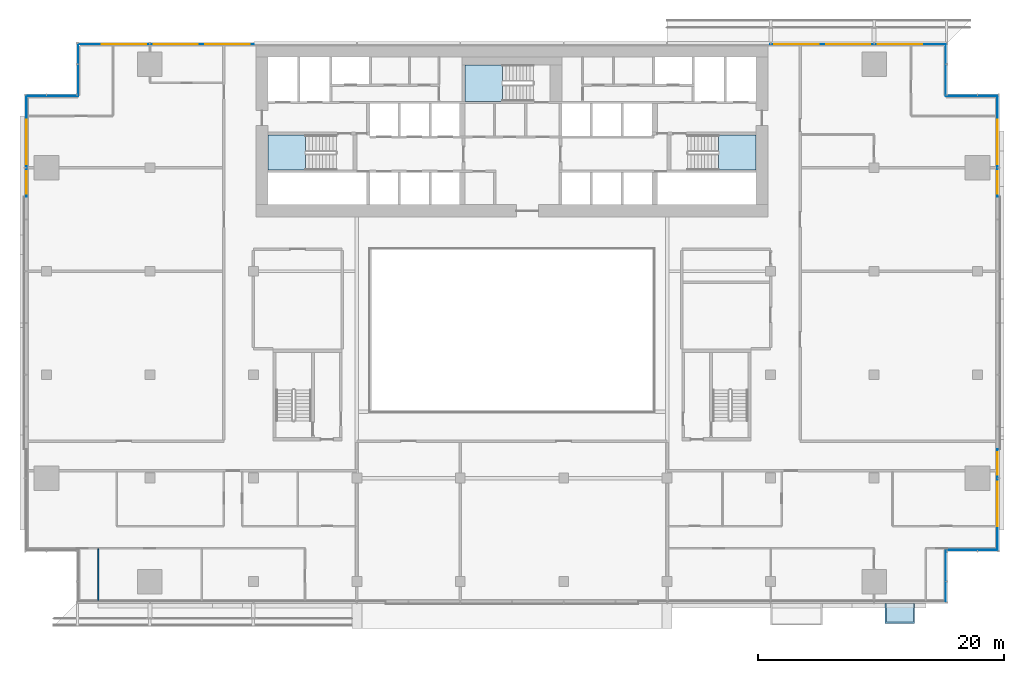
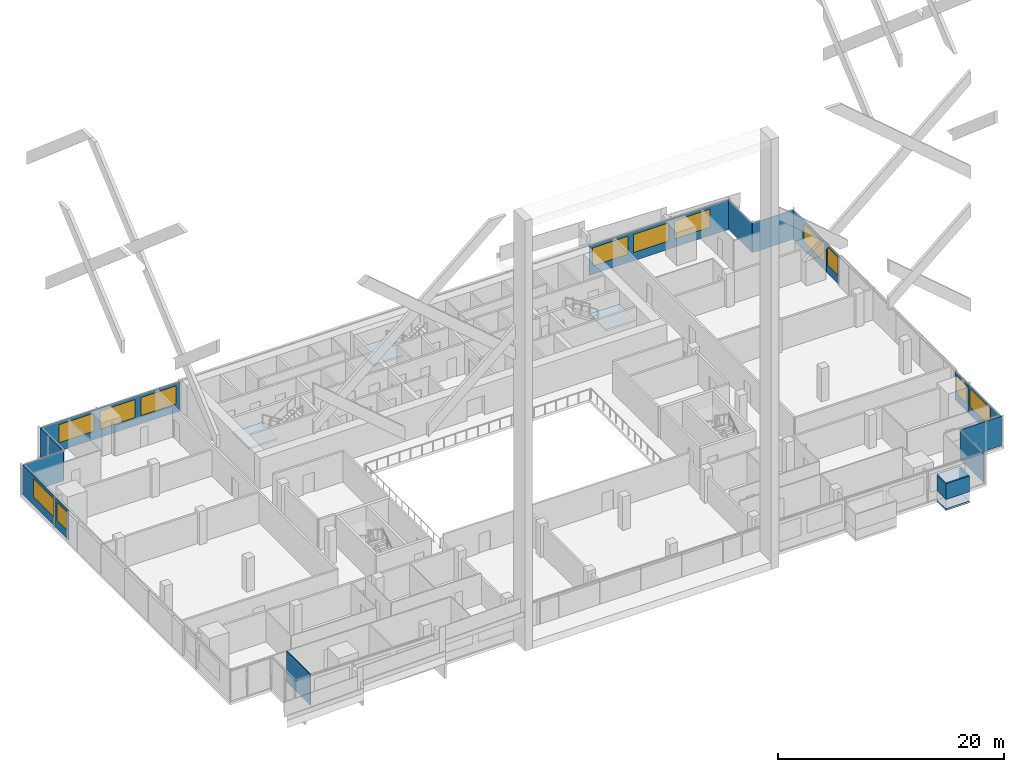
# One storey, part 18 of 30: 16 plates, 12 windows, 4 slabs, 1 wall, 12 openings, 12 elements without a shape of their own.
"""IFC4 building model written with IfcOpenShell, lengths in metres."""

from ifc_helpers import new_model, si_unit, direction, frame, frame_2d, origin, place, context, subcontext, project, spatial, polyline, rectangle, outline, extrude, material, layer, layer_set, type_object, element, fill, aggregate, save


model = new_model("IFC4")

# Units and contexts
model_context = context("Model", 3, precision=1e-05, world=origin(), true_north=direction((0.0, 1.0)))
body_context = subcontext(model_context, "Body", "Model", "MODEL_VIEW")
ifc_project = project(units=[si_unit("LENGTHUNIT", "METRE"), si_unit("AREAUNIT", "SQUARE_METRE"), si_unit("VOLUMEUNIT", "CUBIC_METRE"), si_unit("PLANEANGLEUNIT", "RADIAN"), si_unit("MASSUNIT", "GRAM", prefix="KILO")], contexts=[model_context])

# Site, building, storey
site_placement = place(None, origin())
site = spatial("IfcSite", under=ifc_project, at=site_placement, CompositionType="ELEMENT")
building_placement = place(site_placement, origin())
building = spatial("IfcBuilding", under=site, at=building_placement, Name="Saffron Gate Tower", CompositionType="ELEMENT")
storey_placement = place(building_placement, frame((0.0, 0.0, 95.25)))
storey = spatial("IfcBuildingStorey", under=building, at=storey_placement, Name="L21", CompositionType="ELEMENT", Elevation=95.25)

# Curtain wall, plates, openings, windows
ifc_material_1 = material(Name="Aluminium, bronze anodised", Category="aluminium")
curtain_wall_type_1 = type_object("IfcCurtainWallType", Name="CWS2 curtain wall side facades", PredefinedType="NOTDEFINED", material=ifc_material_1)
curtain_wall_1_placement = place(storey_placement, origin())
curtain_wall_1 = element("IfcCurtainWall", 1, at=curtain_wall_1_placement, inside=storey, type_object=curtain_wall_type_1, Name="CWS2 run 4", PredefinedType="NOTDEFINED")
ifc_material_2 = material(Name="Fritted bronze-tinted laminated glass", Category="glass")
ifc_layer_1 = layer(ifc_material_2, 0.028076171875)
ifc_layer_set_1 = layer_set([ifc_layer_1], Name="CWS2 fixed glass")
plate_type_1 = type_object("IfcPlateType", Name="CWS2 fixed glass", PredefinedType="CURTAIN_PANEL", material=ifc_layer_set_1)
plate_1_placement = place(storey_placement, frame((127.02587890625, 34.387939453125, 0.0), z_axis=(0.0, 0.0, 1.0), x_axis=(0.0, 1.0, 0.0)))
plate_1 = element("IfcPlate", 2, at=plate_1_placement, type_object=plate_type_1, Name="CWS2 glass panel", PredefinedType="CURTAIN_PANEL", context=body_context, shape_type="SweptSolid", body=[
    extrude(rectangle(XDim=5.842041015625, YDim=0.028076171875, at=frame_2d((2.9208984375, 0.0))), origin(), (0.0, 0.0, 1.0), 3.199951171875),
])
opening_1_placement = place(plate_1_placement, frame((1.912109375, 0.0, 0.89990234375)))
opening_1 = element("IfcOpeningElement", 3, at=opening_1_placement, cuts=plate_1, Name="Opening W1", PredefinedType="OPENING", context=body_context, shape_type="SweptSolid", body=[
    extrude(rectangle(XDim=3.60009765625, YDim=1.949951171875, at=frame_2d((1.800048828125, 0.97509765625))), frame((0.0, 0.02392578125, 0.0), z_axis=(0.0, -1.0, 0.0), x_axis=(1.0, 0.0, 0.0)), (0.0, 0.0, 1.0), 0.048095703125),
])
ifc_material_3 = material(Name="Fritted bronze-tinted laminated glass in bronze frame", Category="glass")
ifc_layer_2 = layer(ifc_material_3, 0.06005859375)
ifc_layer_set_2 = layer_set([ifc_layer_2], Name="W1 operable panel 3600x1950")
window_type_1 = type_object("IfcWindowType", Name="W1 operable panel 3600x1950", PartitioningType="DOUBLE_PANEL_HORIZONTAL", PredefinedType="WINDOW", material=ifc_layer_set_2)
window_1_placement = place(opening_1_placement, origin())
window_1 = element("IfcWindow", 4, at=window_1_placement, type_object=window_type_1, Name="W1 operable panel", OverallHeight=1.949951171875, OverallWidth=3.60009765625, PartitioningType="SINGLE_PANEL", PredefinedType="WINDOW", context=body_context, shape_type="SweptSolid", body=[
    extrude(rectangle(XDim=3.60009765625, YDim=1.949951171875, at=frame_2d((1.800048828125, 0.97509765625))), frame((0.0, 0.013671875, 0.0), z_axis=(0.0, -1.0, 0.0), x_axis=(1.0, 0.0, 0.0)), (0.0, 0.0, 1.0), 0.027587890625),
])
fill(opening_1, window_1)
plate_2_placement = place(storey_placement, frame((127.02587890625, 65.3701171875, 0.0), z_axis=(0.0, 0.0, 1.0), x_axis=(0.0, 1.0, 0.0)))
plate_2 = element("IfcPlate", 5, at=plate_2_placement, type_object=plate_type_1, Name="CWS2 glass panel", PredefinedType="CURTAIN_PANEL", context=body_context, shape_type="SweptSolid", body=[
    extrude(rectangle(XDim=5.841796875, YDim=0.028076171875, at=frame_2d((2.9208984375, 0.0))), origin(), (0.0, 0.0, 1.0), 3.199951171875),
])
opening_2_placement = place(plate_2_placement, frame((0.330078125, 0.0, 0.89990234375)))
opening_2 = element("IfcOpeningElement", 6, at=opening_2_placement, cuts=plate_2, Name="Opening W1", PredefinedType="OPENING", context=body_context, shape_type="SweptSolid", body=[
    extrude(rectangle(XDim=3.60009765625, YDim=1.949951171875, at=frame_2d((1.800048828125, 0.97509765625))), frame((0.0, 0.02392578125, 0.0), z_axis=(0.0, -1.0, 0.0), x_axis=(1.0, 0.0, 0.0)), (0.0, 0.0, 1.0), 0.048095703125),
])
window_2_placement = place(opening_2_placement, origin())
window_2 = element("IfcWindow", 7, at=window_2_placement, type_object=window_type_1, Name="W1 operable panel", OverallHeight=1.949951171875, OverallWidth=3.60009765625, PartitioningType="SINGLE_PANEL", PredefinedType="WINDOW", context=body_context, shape_type="SweptSolid", body=[
    extrude(rectangle(XDim=3.60009765625, YDim=1.949951171875, at=frame_2d((1.800048828125, 0.97509765625))), frame((0.0, 0.013671875, 0.0), z_axis=(0.0, -1.0, 0.0), x_axis=(1.0, 0.0, 0.0)), (0.0, 0.0, 1.0), 0.027587890625),
])
fill(opening_2, window_2)
plate_3_placement = place(storey_placement, frame((127.02587890625, 40.22998046875, 0.0), z_axis=(0.0, 0.0, 1.0), x_axis=(0.0, 1.0, 0.0)))
plate_3 = element("IfcPlate", 8, at=plate_3_placement, type_object=plate_type_1, Name="CWS2 glass panel", PredefinedType="CURTAIN_PANEL", context=body_context, shape_type="SweptSolid", body=[
    extrude(rectangle(XDim=2.32080078125, YDim=0.028076171875, at=frame_2d((1.160400390625, 0.0))), origin(), (0.0, 0.0, 1.0), 3.199951171875),
])
opening_3_placement = place(plate_3_placement, frame((0.260498046875, 0.0, 0.89990234375)))
opening_3 = element("IfcOpeningElement", 9, at=opening_3_placement, cuts=plate_3, Name="Opening W1N18", PredefinedType="OPENING", context=body_context, shape_type="SweptSolid", body=[
    extrude(rectangle(XDim=1.800048828125, YDim=1.949951171875, at=frame_2d((0.89990234375, 0.97509765625))), frame((0.0, 0.02392578125, 0.0), z_axis=(0.0, -1.0, 0.0), x_axis=(1.0, 0.0, 0.0)), (0.0, 0.0, 1.0), 0.048095703125),
])
ifc_layer_3 = layer(ifc_material_3, 0.06005859375)
ifc_layer_set_3 = layer_set([ifc_layer_3], Name="W1N18 operable panel 1800x1950")
window_type_2 = type_object("IfcWindowType", Name="W1N18 operable panel 1800x1950", PartitioningType="DOUBLE_PANEL_HORIZONTAL", PredefinedType="WINDOW", material=ifc_layer_set_3)
window_3_placement = place(opening_3_placement, origin())
window_3 = element("IfcWindow", 10, at=window_3_placement, type_object=window_type_2, Name="W1N18 operable panel", OverallHeight=1.949951171875, OverallWidth=1.800048828125, PartitioningType="SINGLE_PANEL", PredefinedType="WINDOW", context=body_context, shape_type="SweptSolid", body=[
    extrude(rectangle(XDim=1.800048828125, YDim=1.949951171875, at=frame_2d((0.89990234375, 0.97509765625))), frame((0.0, 0.013671875, 0.0), z_axis=(0.0, -1.0, 0.0), x_axis=(1.0, 0.0, 0.0)), (0.0, 0.0, 1.0), 0.027587890625),
])
fill(opening_3, window_3)
plate_4_placement = place(storey_placement, frame((127.02587890625, 63.04931640625, 0.0), z_axis=(0.0, 0.0, 1.0), x_axis=(0.0, 1.0, 0.0)))
plate_4 = element("IfcPlate", 11, at=plate_4_placement, type_object=plate_type_1, Name="CWS2 glass panel", PredefinedType="CURTAIN_PANEL", context=body_context, shape_type="SweptSolid", body=[
    extrude(rectangle(XDim=2.32080078125, YDim=0.028076171875, at=frame_2d((1.160400390625, 0.0))), origin(), (0.0, 0.0, 1.0), 3.199951171875),
])
opening_4_placement = place(plate_4_placement, frame((0.260498046875, 0.0, 0.89990234375)))
opening_4 = element("IfcOpeningElement", 12, at=opening_4_placement, cuts=plate_4, Name="Opening W1N18", PredefinedType="OPENING", context=body_context, shape_type="SweptSolid", body=[
    extrude(rectangle(XDim=1.800048828125, YDim=1.949951171875, at=frame_2d((0.89990234375, 0.97509765625))), frame((0.0, 0.02392578125, 0.0), z_axis=(0.0, -1.0, 0.0), x_axis=(1.0, 0.0, 0.0)), (0.0, 0.0, 1.0), 0.048095703125),
])
window_4_placement = place(opening_4_placement, origin())
window_4 = element("IfcWindow", 13, at=window_4_placement, type_object=window_type_2, Name="W1N18 operable panel", OverallHeight=1.949951171875, OverallWidth=1.800048828125, PartitioningType="SINGLE_PANEL", PredefinedType="WINDOW", context=body_context, shape_type="SweptSolid", body=[
    extrude(rectangle(XDim=1.800048828125, YDim=1.949951171875, at=frame_2d((0.89990234375, 0.97509765625))), frame((0.0, 0.013671875, 0.0), z_axis=(0.0, -1.0, 0.0), x_axis=(1.0, 0.0, 0.0)), (0.0, 0.0, 1.0), 0.027587890625),
])
fill(opening_4, window_4)
aggregate(curtain_wall_1, [plate_1, plate_2, plate_3, plate_4, window_1, window_2, window_3, window_4])

curtain_wall_2_placement = place(storey_placement, origin())
curtain_wall_2 = element("IfcCurtainWall", 14, at=curtain_wall_2_placement, inside=storey, type_object=curtain_wall_type_1, Name="CWS2 run 10", PredefinedType="NOTDEFINED")
plate_5_placement = place(storey_placement, frame((48.174072265625, 71.2119140625, 0.0), z_axis=(0.0, 0.0, 1.0), x_axis=(0.0, -1.0, 0.0)))
plate_5 = element("IfcPlate", 15, at=plate_5_placement, type_object=plate_type_1, Name="CWS2 glass panel", PredefinedType="CURTAIN_PANEL", context=body_context, shape_type="SweptSolid", body=[
    extrude(rectangle(XDim=5.841796875, YDim=0.028076171875, at=frame_2d((2.9208984375, 0.0))), origin(), (0.0, 0.0, 1.0), 3.199951171875),
])
opening_5_placement = place(plate_5_placement, frame((1.912109375, 0.0, 0.89990234375)))
opening_5 = element("IfcOpeningElement", 16, at=opening_5_placement, cuts=plate_5, Name="Opening W1", PredefinedType="OPENING", context=body_context, shape_type="SweptSolid", body=[
    extrude(rectangle(XDim=3.60009765625, YDim=1.949951171875, at=frame_2d((1.800048828125, 0.97509765625))), frame((0.0, 0.02392578125, 0.0), z_axis=(0.0, -1.0, 0.0), x_axis=(1.0, 0.0, 0.0)), (0.0, 0.0, 1.0), 0.048095703125),
])
window_5_placement = place(opening_5_placement, origin())
window_5 = element("IfcWindow", 17, at=window_5_placement, type_object=window_type_1, Name="W1 operable panel", OverallHeight=1.949951171875, OverallWidth=3.60009765625, PartitioningType="SINGLE_PANEL", PredefinedType="WINDOW", context=body_context, shape_type="SweptSolid", body=[
    extrude(rectangle(XDim=3.60009765625, YDim=1.949951171875, at=frame_2d((1.800048828125, 0.97509765625))), frame((0.0, 0.013671875, 0.0), z_axis=(0.0, -1.0, 0.0), x_axis=(1.0, 0.0, 0.0)), (0.0, 0.0, 1.0), 0.027587890625),
])
fill(opening_5, window_5)
plate_6_placement = place(storey_placement, frame((48.174072265625, 65.3701171875, 0.0), z_axis=(0.0, 0.0, 1.0), x_axis=(0.0, -1.0, 0.0)))
plate_6 = element("IfcPlate", 18, at=plate_6_placement, type_object=plate_type_1, Name="CWS2 glass panel", PredefinedType="CURTAIN_PANEL", context=body_context, shape_type="SweptSolid", body=[
    extrude(rectangle(XDim=2.32080078125, YDim=0.028076171875, at=frame_2d((1.160400390625, 0.0))), origin(), (0.0, 0.0, 1.0), 3.199951171875),
])
opening_6_placement = place(plate_6_placement, frame((0.260498046875, 0.0, 0.89990234375)))
opening_6 = element("IfcOpeningElement", 19, at=opening_6_placement, cuts=plate_6, Name="Opening W1N18", PredefinedType="OPENING", context=body_context, shape_type="SweptSolid", body=[
    extrude(rectangle(XDim=1.800048828125, YDim=1.949951171875, at=frame_2d((0.89990234375, 0.97509765625))), frame((0.0, 0.02392578125, 0.0), z_axis=(0.0, -1.0, 0.0), x_axis=(1.0, 0.0, 0.0)), (0.0, 0.0, 1.0), 0.048095703125),
])
window_6_placement = place(opening_6_placement, origin())
window_6 = element("IfcWindow", 20, at=window_6_placement, type_object=window_type_2, Name="W1N18 operable panel", OverallHeight=1.949951171875, OverallWidth=1.800048828125, PartitioningType="SINGLE_PANEL", PredefinedType="WINDOW", context=body_context, shape_type="SweptSolid", body=[
    extrude(rectangle(XDim=1.800048828125, YDim=1.949951171875, at=frame_2d((0.89990234375, 0.97509765625))), frame((0.0, 0.013671875, 0.0), z_axis=(0.0, -1.0, 0.0), x_axis=(1.0, 0.0, 0.0)), (0.0, 0.0, 1.0), 0.027587890625),
])
fill(opening_6, window_6)
aggregate(curtain_wall_2, [plate_5, plate_6, window_5, window_6])

curtain_wall_type_2 = type_object("IfcCurtainWallType", Name="CWS3 curtain wall rear facade", PredefinedType="NOTDEFINED", material=ifc_material_1)
curtain_wall_3_placement = place(storey_placement, origin())
curtain_wall_3 = element("IfcCurtainWall", 21, at=curtain_wall_3_placement, inside=storey, type_object=curtain_wall_type_2, Name="CWS3 run 7", PredefinedType="NOTDEFINED")
ifc_material_4 = material(Name="Fritted grey-tinted laminated glass", Category="glass")
ifc_layer_4 = layer(ifc_material_4, 0.028076171875)
ifc_layer_set_4 = layer_set([ifc_layer_4], Name="CWS3 fixed glass")
plate_type_2 = type_object("IfcPlateType", Name="CWS3 fixed glass", PredefinedType="CURTAIN_PANEL", material=ifc_layer_set_4)
plate_7_placement = place(storey_placement, frame((122.81201171875, 75.426025390625, 0.0), z_axis=(0.0, 0.0, 1.0), x_axis=(-1.0, 0.0, 0.0)))
plate_7 = element("IfcPlate", 22, at=plate_7_placement, type_object=plate_type_2, Name="CWS3 glass panel", PredefinedType="CURTAIN_PANEL", context=body_context, shape_type="SweptSolid", body=[
    extrude(rectangle(XDim=14.2470703125, YDim=0.028076171875, at=frame_2d((7.12353515625, 0.0))), origin(), (0.0, 0.0, 1.0), 3.199951171875),
])
opening_7_placement = place(plate_7_placement, frame((1.912109375, 0.0, 0.89990234375)))
opening_7 = element("IfcOpeningElement", 23, at=opening_7_placement, cuts=plate_7, Name="Opening W1", PredefinedType="OPENING", context=body_context, shape_type="SweptSolid", body=[
    extrude(rectangle(XDim=3.60009765625, YDim=1.949951171875, at=frame_2d((1.800048828125, 0.97509765625))), frame((0.0, 0.02392578125, 0.0), z_axis=(0.0, -1.0, 0.0), x_axis=(1.0, 0.0, 0.0)), (0.0, 0.0, 1.0), 0.048095703125),
])
opening_8_placement = place(plate_7_placement, frame((6.112060546875, 0.0, 0.89990234375)))
opening_8 = element("IfcOpeningElement", 24, at=opening_8_placement, cuts=plate_7, Name="Opening W1", PredefinedType="OPENING", context=body_context, shape_type="SweptSolid", body=[
    extrude(rectangle(XDim=3.60009765625, YDim=1.949951171875, at=frame_2d((1.800048828125, 0.97509765625))), frame((0.0, 0.02392578125, 0.0), z_axis=(0.0, -1.0, 0.0), x_axis=(1.0, 0.0, 0.0)), (0.0, 0.0, 1.0), 0.048095703125),
])
opening_9_placement = place(plate_7_placement, frame((10.31201171875, 0.0, 0.89990234375)))
opening_9 = element("IfcOpeningElement", 25, at=opening_9_placement, cuts=plate_7, Name="Opening W1", PredefinedType="OPENING", context=body_context, shape_type="SweptSolid", body=[
    extrude(rectangle(XDim=3.60009765625, YDim=1.949951171875, at=frame_2d((1.800048828125, 0.97509765625))), frame((0.0, 0.02392578125, 0.0), z_axis=(0.0, -1.0, 0.0), x_axis=(1.0, 0.0, 0.0)), (0.0, 0.0, 1.0), 0.048095703125),
])
window_7_placement = place(opening_7_placement, origin())
window_7 = element("IfcWindow", 26, at=window_7_placement, type_object=window_type_1, Name="W1 operable panel", OverallHeight=1.949951171875, OverallWidth=3.60009765625, PartitioningType="SINGLE_PANEL", PredefinedType="WINDOW", context=body_context, shape_type="SweptSolid", body=[
    extrude(rectangle(XDim=3.60009765625, YDim=1.949951171875, at=frame_2d((1.800048828125, 0.97509765625))), frame((0.0, 0.013671875, 0.0), z_axis=(0.0, -1.0, 0.0), x_axis=(1.0, 0.0, 0.0)), (0.0, 0.0, 1.0), 0.027587890625),
])
fill(opening_7, window_7)
window_8_placement = place(opening_8_placement, origin())
window_8 = element("IfcWindow", 27, at=window_8_placement, type_object=window_type_1, Name="W1 operable panel", OverallHeight=1.949951171875, OverallWidth=3.60009765625, PartitioningType="SINGLE_PANEL", PredefinedType="WINDOW", context=body_context, shape_type="SweptSolid", body=[
    extrude(rectangle(XDim=3.60009765625, YDim=1.949951171875, at=frame_2d((1.800048828125, 0.97509765625))), frame((0.0, 0.013671875, 0.0), z_axis=(0.0, -1.0, 0.0), x_axis=(1.0, 0.0, 0.0)), (0.0, 0.0, 1.0), 0.027587890625),
])
fill(opening_8, window_8)
window_9_placement = place(opening_9_placement, origin())
window_9 = element("IfcWindow", 28, at=window_9_placement, type_object=window_type_1, Name="W1 operable panel", OverallHeight=1.949951171875, OverallWidth=3.60009765625, PartitioningType="SINGLE_PANEL", PredefinedType="WINDOW", context=body_context, shape_type="SweptSolid", body=[
    extrude(rectangle(XDim=3.60009765625, YDim=1.949951171875, at=frame_2d((1.800048828125, 0.97509765625))), frame((0.0, 0.013671875, 0.0), z_axis=(0.0, -1.0, 0.0), x_axis=(1.0, 0.0, 0.0)), (0.0, 0.0, 1.0), 0.027587890625),
])
fill(opening_9, window_9)
plate_8_placement = place(storey_placement, frame((66.635009765625, 75.426025390625, 0.0), z_axis=(0.0, 0.0, 1.0), x_axis=(-1.0, 0.0, 0.0)))
plate_8 = element("IfcPlate", 29, at=plate_8_placement, type_object=plate_type_2, Name="CWS3 glass panel", PredefinedType="CURTAIN_PANEL", context=body_context, shape_type="SweptSolid", body=[
    extrude(rectangle(XDim=14.2470703125, YDim=0.028076171875, at=frame_2d((7.12353515625, 0.0))), origin(), (0.0, 0.0, 1.0), 3.199951171875),
])
opening_10_placement = place(plate_8_placement, frame((0.3349609375, 0.0, 0.89990234375)))
opening_10 = element("IfcOpeningElement", 30, at=opening_10_placement, cuts=plate_8, Name="Opening W1", PredefinedType="OPENING", context=body_context, shape_type="SweptSolid", body=[
    extrude(rectangle(XDim=3.60009765625, YDim=1.949951171875, at=frame_2d((1.800048828125, 0.97509765625))), frame((0.0, 0.02392578125, 0.0), z_axis=(0.0, -1.0, 0.0), x_axis=(1.0, 0.0, 0.0)), (0.0, 0.0, 1.0), 0.048095703125),
])
opening_11_placement = place(plate_8_placement, frame((4.534912109375, 0.0, 0.89990234375)))
opening_11 = element("IfcOpeningElement", 31, at=opening_11_placement, cuts=plate_8, Name="Opening W1", PredefinedType="OPENING", context=body_context, shape_type="SweptSolid", body=[
    extrude(rectangle(XDim=3.60009765625, YDim=1.949951171875, at=frame_2d((1.800048828125, 0.97509765625))), frame((0.0, 0.02392578125, 0.0), z_axis=(0.0, -1.0, 0.0), x_axis=(1.0, 0.0, 0.0)), (0.0, 0.0, 1.0), 0.048095703125),
])
opening_12_placement = place(plate_8_placement, frame((8.735107421875, 0.0, 0.89990234375)))
opening_12 = element("IfcOpeningElement", 32, at=opening_12_placement, cuts=plate_8, Name="Opening W1", PredefinedType="OPENING", context=body_context, shape_type="SweptSolid", body=[
    extrude(rectangle(XDim=3.60009765625, YDim=1.949951171875, at=frame_2d((1.800048828125, 0.97509765625))), frame((0.0, 0.02392578125, 0.0), z_axis=(0.0, -1.0, 0.0), x_axis=(1.0, 0.0, 0.0)), (0.0, 0.0, 1.0), 0.048095703125),
])
window_10_placement = place(opening_10_placement, origin())
window_10 = element("IfcWindow", 33, at=window_10_placement, type_object=window_type_1, Name="W1 operable panel", OverallHeight=1.949951171875, OverallWidth=3.60009765625, PartitioningType="SINGLE_PANEL", PredefinedType="WINDOW", context=body_context, shape_type="SweptSolid", body=[
    extrude(rectangle(XDim=3.60009765625, YDim=1.949951171875, at=frame_2d((1.800048828125, 0.97509765625))), frame((0.0, 0.013671875, 0.0), z_axis=(0.0, -1.0, 0.0), x_axis=(1.0, 0.0, 0.0)), (0.0, 0.0, 1.0), 0.027587890625),
])
fill(opening_10, window_10)
window_11_placement = place(opening_11_placement, origin())
window_11 = element("IfcWindow", 34, at=window_11_placement, type_object=window_type_1, Name="W1 operable panel", OverallHeight=1.949951171875, OverallWidth=3.60009765625, PartitioningType="SINGLE_PANEL", PredefinedType="WINDOW", context=body_context, shape_type="SweptSolid", body=[
    extrude(rectangle(XDim=3.60009765625, YDim=1.949951171875, at=frame_2d((1.800048828125, 0.97509765625))), frame((0.0, 0.013671875, 0.0), z_axis=(0.0, -1.0, 0.0), x_axis=(1.0, 0.0, 0.0)), (0.0, 0.0, 1.0), 0.027587890625),
])
fill(opening_11, window_11)
window_12_placement = place(opening_12_placement, origin())
window_12 = element("IfcWindow", 35, at=window_12_placement, type_object=window_type_1, Name="W1 operable panel", OverallHeight=1.949951171875, OverallWidth=3.60009765625, PartitioningType="SINGLE_PANEL", PredefinedType="WINDOW", context=body_context, shape_type="SweptSolid", body=[
    extrude(rectangle(XDim=3.60009765625, YDim=1.949951171875, at=frame_2d((1.800048828125, 0.97509765625))), frame((0.0, 0.013671875, 0.0), z_axis=(0.0, -1.0, 0.0), x_axis=(1.0, 0.0, 0.0)), (0.0, 0.0, 1.0), 0.027587890625),
])
fill(opening_12, window_12)
aggregate(curtain_wall_3, [plate_7, plate_8, window_7, window_8, window_9, window_10, window_11, window_12])

# Curtain wall, plate
curtain_wall_type_3 = type_object("IfcCurtainWallType", Name="CWS4 curtain wall corner returns", PredefinedType="NOTDEFINED", material=ifc_material_1)
curtain_wall_4_placement = place(storey_placement, origin())
curtain_wall_4 = element("IfcCurtainWall", 36, at=curtain_wall_4_placement, inside=storey, type_object=curtain_wall_type_3, Name="CWS4 run 2", PredefinedType="NOTDEFINED")
ifc_layer_5 = layer(ifc_material_2, 0.028076171875)
ifc_layer_set_5 = layer_set([ifc_layer_5], Name="CWS4 fixed glass")
plate_type_3 = type_object("IfcPlateType", Name="CWS4 fixed glass", PredefinedType="CURTAIN_PANEL", material=ifc_layer_set_5)
plate_9_placement = place(storey_placement, frame((122.825927734375, 30.18798828125, 0.0), z_axis=(0.0, 0.0, 1.0), x_axis=(0.0, 1.0, 0.0)))
plate_9 = element("IfcPlate", 37, at=plate_9_placement, type_object=plate_type_3, Name="CWS4 glass panel", PredefinedType="CURTAIN_PANEL", context=body_context, shape_type="SweptSolid", body=[
    extrude(rectangle(XDim=4.172119140625, YDim=0.028076171875, at=frame_2d((2.0859375, 0.0))), origin(), (0.0, 0.0, 1.0), 3.199951171875),
])
aggregate(curtain_wall_4, [plate_9])

curtain_wall_5_placement = place(storey_placement, origin())
curtain_wall_5 = element("IfcCurtainWall", 38, at=curtain_wall_5_placement, inside=storey, type_object=curtain_wall_type_3, Name="CWS4 run 3", PredefinedType="NOTDEFINED")
plate_10_placement = place(storey_placement, frame((122.840087890625, 34.3740234375, 0.0), z_axis=(0.0, 0.0, 1.0), x_axis=(1.0, 0.0, 0.0)))
plate_10 = element("IfcPlate", 39, at=plate_10_placement, type_object=plate_type_3, Name="CWS4 glass panel", PredefinedType="CURTAIN_PANEL", context=body_context, shape_type="SweptSolid", body=[
    extrude(rectangle(XDim=4.171875, YDim=0.028076171875, at=frame_2d((2.0859375, 0.0))), origin(), (0.0, 0.0, 1.0), 3.199951171875),
])
aggregate(curtain_wall_5, [plate_10])

curtain_wall_6_placement = place(storey_placement, origin())
curtain_wall_6 = element("IfcCurtainWall", 40, at=curtain_wall_6_placement, inside=storey, type_object=curtain_wall_type_3, Name="CWS4 run 5", PredefinedType="NOTDEFINED")
plate_11_placement = place(storey_placement, frame((127.011962890625, 71.22607421875, 0.0), z_axis=(0.0, 0.0, 1.0), x_axis=(-1.0, 0.0, 0.0)))
plate_11 = element("IfcPlate", 41, at=plate_11_placement, type_object=plate_type_3, Name="CWS4 glass panel", PredefinedType="CURTAIN_PANEL", context=body_context, shape_type="SweptSolid", body=[
    extrude(rectangle(XDim=4.171875, YDim=0.028076171875, at=frame_2d((2.0859375, 0.0))), origin(), (0.0, 0.0, 1.0), 3.199951171875),
])
aggregate(curtain_wall_6, [plate_11])

curtain_wall_7_placement = place(storey_placement, origin())
curtain_wall_7 = element("IfcCurtainWall", 42, at=curtain_wall_7_placement, inside=storey, type_object=curtain_wall_type_3, Name="CWS4 run 6", PredefinedType="NOTDEFINED")
plate_12_placement = place(storey_placement, frame((122.825927734375, 71.239990234375, 0.0), z_axis=(0.0, 0.0, 1.0), x_axis=(0.0, 1.0, 0.0)))
plate_12 = element("IfcPlate", 43, at=plate_12_placement, type_object=plate_type_3, Name="CWS4 glass panel", PredefinedType="CURTAIN_PANEL", context=body_context, shape_type="SweptSolid", body=[
    extrude(rectangle(XDim=4.172119140625, YDim=0.028076171875, at=frame_2d((2.0859375, 0.0))), origin(), (0.0, 0.0, 1.0), 3.199951171875),
])
aggregate(curtain_wall_7, [plate_12])

curtain_wall_8_placement = place(storey_placement, origin())
curtain_wall_8 = element("IfcCurtainWall", 44, at=curtain_wall_8_placement, inside=storey, type_object=curtain_wall_type_3, Name="CWS4 run 8", PredefinedType="NOTDEFINED")
plate_13_placement = place(storey_placement, frame((52.3740234375, 75.412109375, 0.0), z_axis=(0.0, 0.0, 1.0), x_axis=(0.0, -1.0, 0.0)))
plate_13 = element("IfcPlate", 45, at=plate_13_placement, type_object=plate_type_3, Name="CWS4 glass panel", PredefinedType="CURTAIN_PANEL", context=body_context, shape_type="SweptSolid", body=[
    extrude(rectangle(XDim=4.172119140625, YDim=0.028076171875, at=frame_2d((2.0859375, 0.0))), origin(), (0.0, 0.0, 1.0), 3.199951171875),
])
aggregate(curtain_wall_8, [plate_13])

curtain_wall_9_placement = place(storey_placement, origin())
curtain_wall_9 = element("IfcCurtainWall", 46, at=curtain_wall_9_placement, inside=storey, type_object=curtain_wall_type_3, Name="CWS4 run 9", PredefinedType="NOTDEFINED")
plate_14_placement = place(storey_placement, frame((52.360107421875, 71.22607421875, 0.0), z_axis=(0.0, 0.0, 1.0), x_axis=(-1.0, 0.0, 0.0)))
plate_14 = element("IfcPlate", 47, at=plate_14_placement, type_object=plate_type_3, Name="CWS4 glass panel", PredefinedType="CURTAIN_PANEL", context=body_context, shape_type="SweptSolid", body=[
    extrude(rectangle(XDim=4.172119140625, YDim=0.028076171875, at=frame_2d((2.0859375, 0.0))), origin(), (0.0, 0.0, 1.0), 3.199951171875),
])
aggregate(curtain_wall_9, [plate_14])

# Stair, slab
ifc_material_5 = material(Name="Concrete C40", Category="concrete")
stair_type = type_object("IfcStairType", Name="ST7 Stair 1350 wide, 20 risers of 180", PredefinedType="HALF_TURN_STAIR", material=ifc_material_5)
stair_1_placement = place(storey_placement, origin())
stair_1 = element("IfcStair", 48, at=stair_1_placement, inside=storey, type_object=stair_type, Name="L21 Exit stair A", PredefinedType="HALF_TURN_STAIR")
ifc_layer_6 = layer(ifc_material_5, 0.199951171875)
ifc_layer_set_6 = layer_set([ifc_layer_6], Name="SL1 Stair landing 200")
slab_type_1 = type_object("IfcSlabType", Name="SL1 Stair landing 200", PredefinedType="LANDING", material=ifc_layer_set_6)
slab_1_placement = place(storey_placement, frame((0.0, 0.0, 1.60009765625)))
slab_1 = element("IfcSlab", 49, at=slab_1_placement, type_object=slab_type_1, Name="ST-A landing 1", PredefinedType="LANDING", context=body_context, shape_type="SweptSolid", body=[
    extrude(outline(polyline([(70.830078125, 68.050048828125), (67.800048828125, 68.050048828125), (67.800048828125, 65.199951171875), (70.830078125, 65.199951171875), (70.830078125, 68.050048828125)])), origin(), (0.0, 0.0, 1.0), 0.199951171875),
])
aggregate(stair_1, [slab_1])

stair_2_placement = place(storey_placement, origin())
stair_2 = element("IfcStair", 50, at=stair_2_placement, inside=storey, type_object=stair_type, Name="L21 Exit stair B", PredefinedType="HALF_TURN_STAIR")
slab_2_placement = place(storey_placement, frame((0.0, 0.0, 1.60009765625)))
slab_2 = element("IfcSlab", 51, at=slab_2_placement, type_object=slab_type_1, Name="ST-B landing 1", PredefinedType="LANDING", context=body_context, shape_type="SweptSolid", body=[
    extrude(outline(polyline([(104.3701171875, 65.199951171875), (107.39990234375, 65.199951171875), (107.39990234375, 68.050048828125), (104.3701171875, 68.050048828125), (104.3701171875, 65.199951171875)])), origin(), (0.0, 0.0, 1.0), 0.199951171875),
])
aggregate(stair_2, [slab_2])

stair_3_placement = place(storey_placement, origin())
stair_3 = element("IfcStair", 52, at=stair_3_placement, inside=storey, type_object=stair_type, Name="L21 Exit stair C", PredefinedType="HALF_TURN_STAIR")
slab_3_placement = place(storey_placement, frame((0.0, 0.0, 1.60009765625)))
slab_3 = element("IfcSlab", 53, at=slab_3_placement, type_object=slab_type_1, Name="ST-C landing 1", PredefinedType="LANDING", context=body_context, shape_type="SweptSolid", body=[
    extrude(outline(polyline([(86.830078125, 73.75), (83.800048828125, 73.75), (83.800048828125, 70.800048828125), (86.830078125, 70.800048828125), (86.830078125, 73.75)])), origin(), (0.0, 0.0, 1.0), 0.199951171875),
])
aggregate(stair_3, [slab_3])

# Slab
ifc_material_6 = material(Name="Timber deck on bronze frame", Category="wood")
ifc_layer_7 = layer(ifc_material_6, 0.199951171875)
ifc_layer_set_7 = layer_set([ifc_layer_7], Name="WB1 box floor")
slab_type_2 = type_object("IfcSlabType", Name="WB1 box floor", PredefinedType="FLOOR", material=ifc_layer_set_7)
slab_4_placement = place(storey_placement, frame((0.0, 0.0, -0.199951171875)))
element("IfcSlab", 54, at=slab_4_placement, inside=storey, type_object=slab_type_2, Name="WINDOW BOX floor", PredefinedType="FLOOR", context=body_context, shape_type="SweptSolid", body=[
    extrude(outline(polyline([(117.89990234375, 30.0), (120.300048828125, 30.0), (120.300048828125, 28.39990234375), (117.89990234375, 28.39990234375), (117.89990234375, 30.0)])), origin(), (0.0, 0.0, 1.0), 0.199951171875),
])

# Plates
ifc_layer_8 = layer(ifc_material_1, 0.1201171875)
ifc_layer_set_8 = layer_set([ifc_layer_8], Name="WB2 box roof")
plate_type_4 = type_object("IfcPlateType", Name="WB2 box roof", PredefinedType="SHEET", material=ifc_layer_set_8)
plate_15_placement = place(storey_placement, frame((0.0, 0.0, 2.699951171875)))
element("IfcPlate", 55, at=plate_15_placement, inside=storey, type_object=plate_type_4, Name="WINDOW BOX roof", PredefinedType="SHEET", context=body_context, shape_type="SweptSolid", body=[
    extrude(outline(polyline([(117.89990234375, 30.0), (120.300048828125, 30.0), (120.300048828125, 28.39990234375), (117.89990234375, 28.39990234375), (117.89990234375, 30.0)])), origin(), (0.0, 0.0, 1.0), 0.1201171875),
])
ifc_material_7 = material(Name="Clear low-iron laminated glass", Category="glass")
ifc_layer_9 = layer(ifc_material_7, 0.10009765625)
ifc_layer_set_9 = layer_set([ifc_layer_9], Name="WB6 box glazing")
plate_type_5 = type_object("IfcPlateType", Name="WB6 box glazing", PredefinedType="SHEET", material=ifc_layer_set_9)
plate_16_placement = place(storey_placement, frame((0.0, 0.0, 1.0)))
element("IfcPlate", 56, at=plate_16_placement, inside=storey, type_object=plate_type_5, Name="WINDOW BOX glazing", PredefinedType="SHEET", context=body_context, shape_type="SweptSolid", body=[
    extrude(outline(polyline([(117.89990234375, 30.0), (118.0, 30.0), (118.0, 28.5), (120.199951171875, 28.5), (120.199951171875, 30.0), (120.300048828125, 30.0), (120.300048828125, 28.39990234375), (117.89990234375, 28.39990234375), (117.89990234375, 30.0)])), origin(), (0.0, 0.0, 1.0), 1.699951171875),
])

# Wall
ifc_material_8 = material(Name="Plasterboard on steel studs", Category="steel")
ifc_layer_10 = layer(ifc_material_8, 0.10009765625)
ifc_layer_set_10 = layer_set([ifc_layer_10], Name="PW1 Partition 100")
wall_type = type_object("IfcWallType", Name="PW1 Partition 100", PredefinedType="PARTITIONING", material=ifc_layer_set_10)
wall_placement = place(storey_placement, frame((54.0, 34.449951171875, 0.0), z_axis=(0.0, 0.0, 1.0), x_axis=(0.0, -1.0, 0.0)))
element("IfcWall", 57, at=wall_placement, inside=storey, type_object=wall_type, Name="Partition B1-36", PredefinedType="PARTITIONING", context=body_context, shape_type="SweptSolid", body=[
    extrude(rectangle(XDim=4.169921875, YDim=0.10009765625, at=frame_2d((2.0849609375, 0.0))), origin(), (0.0, 0.0, 1.0), 3.320068359375),
])

save(model, "model.ifc")
